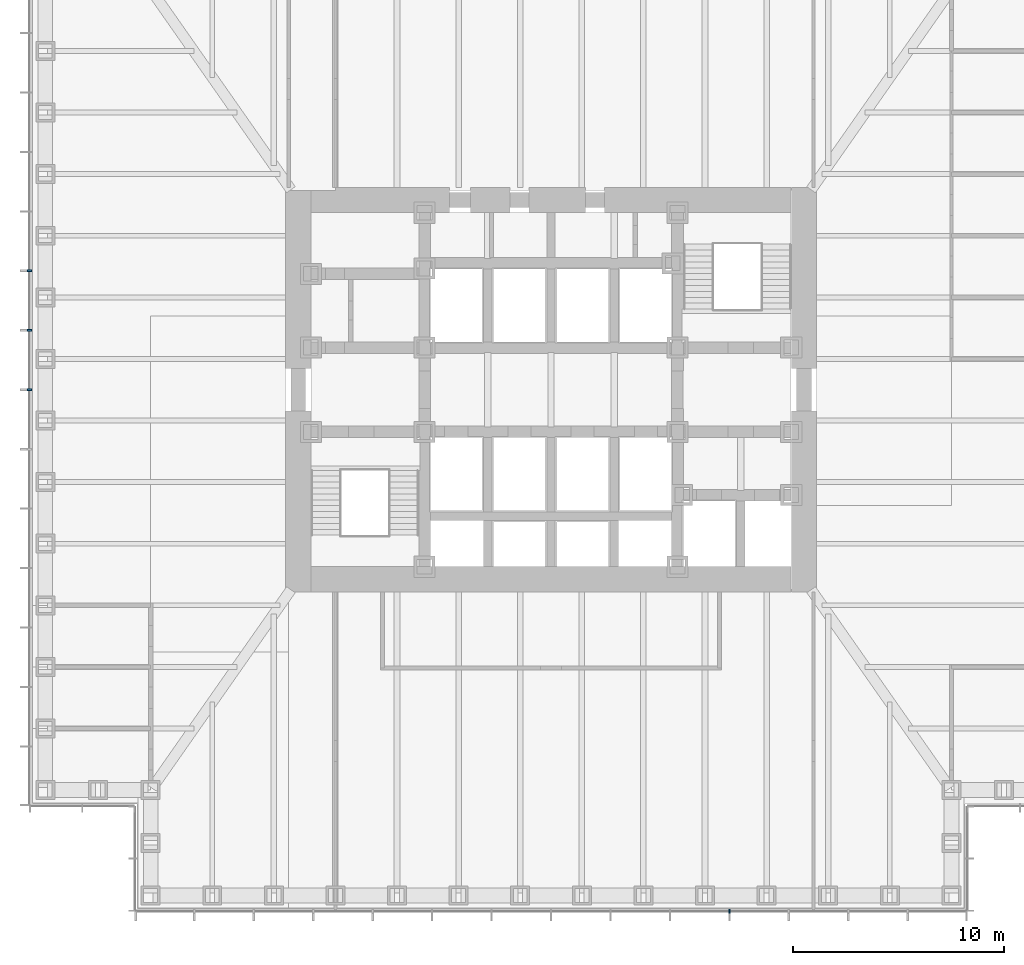
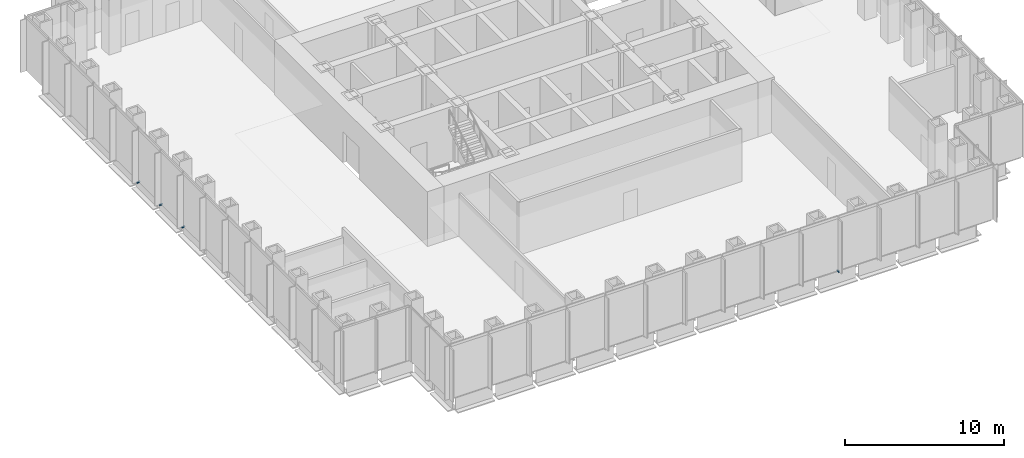
# One storey, part 13 of 17: 4 discrete accessories.
"""IFC4 building model written with IfcOpenShell, lengths in metres."""

from ifc_helpers import new_model, si_unit, direction, frame, origin, origin_2d, place, context, subcontext, project, spatial, rectangle, extrude, element, save


model = new_model("IFC4")

# Units and contexts
model_context = context("Model", 3, precision=1e-05, world=origin(), true_north=direction((0.0, 1.0)))
body_context = subcontext(model_context, "Body", "Model", "MODEL_VIEW")
ifc_project = project(units=[si_unit("LENGTHUNIT", "METRE"), si_unit("AREAUNIT", "SQUARE_METRE"), si_unit("VOLUMEUNIT", "CUBIC_METRE"), si_unit("PLANEANGLEUNIT", "RADIAN"), si_unit("MASSUNIT", "GRAM", prefix="KILO")], contexts=[model_context])

# Site, building, storey
site_placement = place(None, origin())
site = spatial("IfcSite", under=ifc_project, at=site_placement, CompositionType="ELEMENT")
building_placement = place(site_placement, origin())
building = spatial("IfcBuilding", under=site, at=building_placement, Name="Daluyong Arena Tower", CompositionType="ELEMENT")
storey_placement = place(building_placement, frame((0.0, 0.0, 55.89990234375)))
storey = spatial("IfcBuildingStorey", under=building, at=storey_placement, Name="L11", CompositionType="ELEMENT", Elevation=55.89990234375)

# Discrete accessories
for number, where, z_axis, x_axis, name in (
    (1, (64.46435546875, 55.25, -0.099853515625), (0.0, 0.0, 1.0), (1.0, 0.0, 0.0), "curtain wall L11 S anchor bracket 11"),
    (2, (31.25, 85.642822265625, -0.099853515625), (0.0, 0.0, 1.0), (0.0, -1.0, 0.0), "curtain wall L11 W anchor bracket 6"),
    (3, (31.25, 82.821533203125, -0.099853515625), (0.0, 0.0, 1.0), (0.0, -1.0, 0.0), "curtain wall L11 W anchor bracket 7"),
    (4, (31.25, 80.0, -0.099853515625), (0.0, 0.0, 1.0), (0.0, -1.0, 0.0), "curtain wall L11 W anchor bracket 8"),
):
    element("IfcDiscreteAccessory", number, at=place(storey_placement, frame(where, z_axis=z_axis, x_axis=x_axis)), inside=storey, Name=name, PredefinedType="BRACKET", context=body_context, shape_type="SweptSolid", body=[
        extrude(rectangle(XDim=0.080078125, YDim=0.199951171875, at=origin_2d()), origin(), (0.0, 0.0, 1.0), 0.10009765625),
    ])

save(model, "model.ifc")
